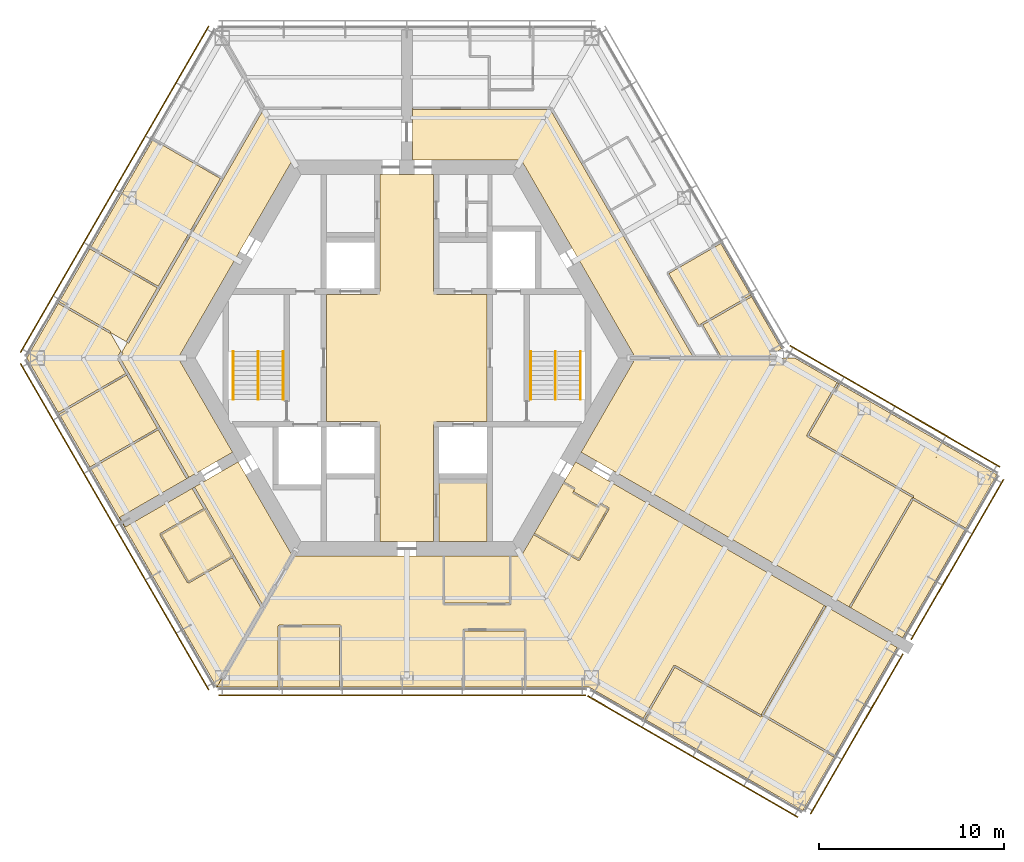
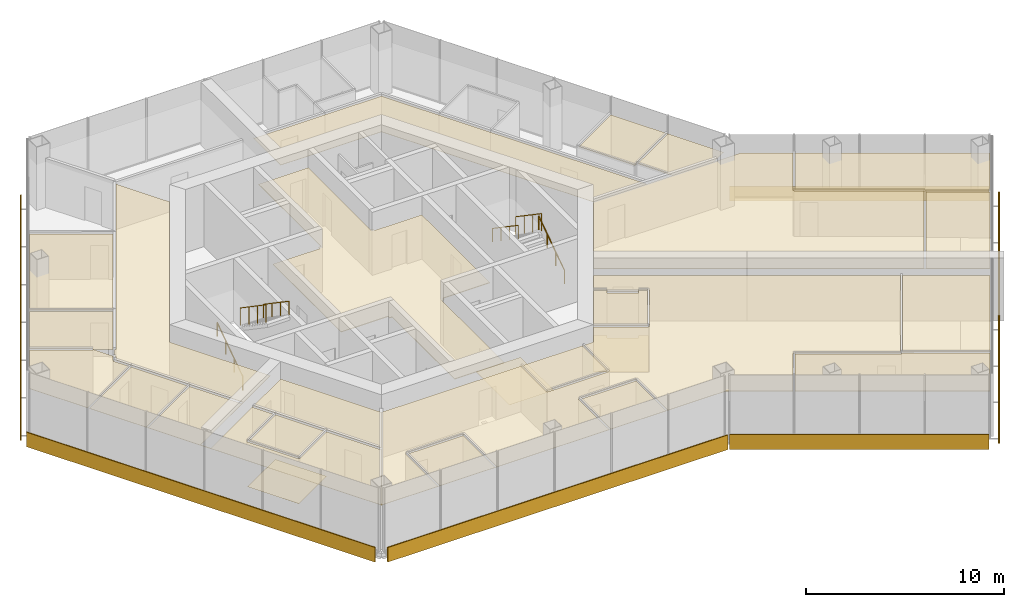
# One storey, part 16 of 17: 26 coverings, 7 shading devices, 6 railings.
"""IFC4 building model written with IfcOpenShell, lengths in metres."""

from ifc_helpers import new_model, si_unit, direction, frame, origin, origin_2d, place, context, subcontext, project, spatial, polyline, rectangle, circle, outline, extrude, material, layer, layer_set, type_object, element, save


model = new_model("IFC4")

# Units and contexts
model_context = context("Model", 3, precision=1e-05, world=origin(), true_north=direction((0.0, 1.0)))
body_context = subcontext(model_context, "Body", "Model", "MODEL_VIEW")
ifc_project = project(units=[si_unit("LENGTHUNIT", "METRE"), si_unit("AREAUNIT", "SQUARE_METRE"), si_unit("VOLUMEUNIT", "CUBIC_METRE"), si_unit("PLANEANGLEUNIT", "RADIAN"), si_unit("MASSUNIT", "GRAM", prefix="KILO")], contexts=[model_context])

# Site, building, storey
site_placement = place(None, origin())
site = spatial("IfcSite", under=ifc_project, at=site_placement, CompositionType="ELEMENT")
building_placement = place(site_placement, origin())
building = spatial("IfcBuilding", under=site, at=building_placement, Name="Kasaneha Research Tower", CompositionType="ELEMENT")
storey_placement = place(building_placement, frame((0.0, 0.0, 228.39990234375)))
storey = spatial("IfcBuildingStorey", under=building, at=storey_placement, Name="L57", CompositionType="ELEMENT", Elevation=228.39990234375)

# Covering
ifc_material_1 = material(Name="Aluminium panel ceiling", Category="aluminium")
ifc_layer_1 = layer(ifc_material_1, 0.0400390625)
ifc_layer_set_1 = layer_set([ifc_layer_1], Name="Lift lobby ceiling 40")
covering_type_1 = type_object("IfcCoveringType", Name="Lift lobby ceiling 40", PredefinedType="CEILING", material=ifc_layer_set_1)
covering_1_placement = place(storey_placement, frame((0.0, 0.0, 2.7001953125)))
element("IfcCovering", 1, at=covering_1_placement, inside=storey, type_object=covering_type_1, Name="Ceiling L57-01", PredefinedType="CEILING", context=body_context, shape_type="SweptSolid", body=[
    extrude(outline(polyline([(1.449951171875, 9.925048828125), (1.449951171875, 3.60009765625), (1.60009765625, 3.60009765625), (1.60009765625, 3.449951171875), (4.35009765625, 3.449951171875), (4.35009765625, -3.449951171875), (1.60009765625, -3.449951171875), (1.60009765625, -3.60009765625), (1.449951171875, -3.60009765625), (1.449951171875, -9.925048828125), (-1.449951171875, -9.925048828125), (-1.449951171875, -3.60009765625), (-1.60009765625, -3.60009765625), (-1.60009765625, -3.449951171875), (-4.35009765625, -3.449951171875), (-4.35009765625, 3.449951171875), (-1.60009765625, 3.449951171875), (-1.60009765625, 3.60009765625), (-1.449951171875, 3.60009765625), (-1.449951171875, 9.925048828125), (1.449951171875, 9.925048828125)])), origin(), (0.0, 0.0, 1.0), 0.039794921875),
])

# Railings
ifc_material_2 = material(Name="Steel", Category="steel")
railing_type_1 = type_object("IfcRailingType", Name="Stair balustrade 1100", PredefinedType="GUARDRAIL", material=ifc_material_2)
for number, where, name in (
    (2, (8.050048828125, 0.35009765625, 2.12744140625), "Stair 1 balustrade L57"),
    (3, (-8.050048828125, 0.35009765625, 2.12744140625), "Stair 2 balustrade L57"),
):
    element("IfcRailing", number, at=place(storey_placement, frame(where)), inside=storey, type_object=railing_type_1, Name=name, PredefinedType="GUARDRAIL", context=body_context, shape_type="SweptSolid", body=[
        extrude(circle(Radius=0.02392578125, at=origin_2d()), frame((0.0, 0.0, 1.076171875), z_axis=(0.0, -0.826240473404, 0.563317565952), x_axis=(1.0, 0.0, 0.0)), (0.0, 0.0, 1.0), 3.14697265625),
        extrude(circle(Radius=0.02099609375, at=origin_2d()), origin(), (0.0, 0.0, 1.0), 1.052001953125),
        extrude(circle(Radius=0.02099609375, at=origin_2d()), frame((0.0, -0.86669921875, 0.5908203125)), (0.0, 0.0, 1.0), 1.052001953125),
        extrude(circle(Radius=0.02099609375, at=origin_2d()), frame((0.0, -1.7333984375, 1.181884765625)), (0.0, 0.0, 1.0), 1.052001953125),
        extrude(circle(Radius=0.02099609375, at=origin_2d()), frame((0.0, -2.60009765625, 1.772705078125)), (0.0, 0.0, 1.0), 1.052001953125),
    ])
ifc_material_3 = material(Name="Steel", Category="steel")
railing_type_2 = type_object("IfcRailingType", Name="Stair handrail 850", PredefinedType="HANDRAIL", material=ifc_material_3)
railing_1_placement = place(storey_placement, frame((9.39990234375, -2.25, 0.177490234375)))
element("IfcRailing", 4, at=railing_1_placement, inside=storey, type_object=railing_type_2, Name="Stair 1 handrail L57", PredefinedType="HANDRAIL", context=body_context, shape_type="SweptSolid", body=[
    extrude(circle(Radius=0.02392578125, at=origin_2d()), frame((0.0, 0.0, 0.826171875), z_axis=(0.0, 0.826240473404, 0.563317565952), x_axis=(-1.0, 0.0, 0.0)), (0.0, 0.0, 1.0), 3.14697265625),
    extrude(circle(Radius=0.02099609375, at=origin_2d()), origin(), (0.0, 0.0, 1.0), 0.802001953125),
    extrude(circle(Radius=0.02099609375, at=origin_2d()), frame((0.0, 0.86669921875, 0.5908203125)), (0.0, 0.0, 1.0), 0.802001953125),
    extrude(circle(Radius=0.02099609375, at=origin_2d()), frame((0.0, 1.7333984375, 1.181884765625)), (0.0, 0.0, 1.0), 0.802001953125),
    extrude(circle(Radius=0.02099609375, at=origin_2d()), frame((0.0, 2.60009765625, 1.772705078125)), (0.0, 0.0, 1.0), 0.802001953125),
])
railing_2_placement = place(storey_placement, frame((6.699951171875, 0.35009765625, 2.12744140625)))
element("IfcRailing", 5, at=railing_2_placement, inside=storey, type_object=railing_type_2, Name="Stair 1 handrail L57", PredefinedType="HANDRAIL", context=body_context, shape_type="SweptSolid", body=[
    extrude(circle(Radius=0.02392578125, at=origin_2d()), frame((0.0, 0.0, 0.826171875), z_axis=(0.0, -0.826240473404, 0.563317565952), x_axis=(1.0, 0.0, 0.0)), (0.0, 0.0, 1.0), 3.14697265625),
    extrude(circle(Radius=0.02099609375, at=origin_2d()), origin(), (0.0, 0.0, 1.0), 0.802001953125),
    extrude(circle(Radius=0.02099609375, at=origin_2d()), frame((0.0, -0.86669921875, 0.5908203125)), (0.0, 0.0, 1.0), 0.802001953125),
    extrude(circle(Radius=0.02099609375, at=origin_2d()), frame((0.0, -1.7333984375, 1.181884765625)), (0.0, 0.0, 1.0), 0.802001953125),
    extrude(circle(Radius=0.02099609375, at=origin_2d()), frame((0.0, -2.60009765625, 1.772705078125)), (0.0, 0.0, 1.0), 0.802001953125),
])
railing_3_placement = place(storey_placement, frame((-9.39990234375, -2.25, 0.177490234375)))
element("IfcRailing", 6, at=railing_3_placement, inside=storey, type_object=railing_type_2, Name="Stair 2 handrail L57", PredefinedType="HANDRAIL", context=body_context, shape_type="SweptSolid", body=[
    extrude(circle(Radius=0.02392578125, at=origin_2d()), frame((0.0, 0.0, 0.826171875), z_axis=(0.0, 0.826240473404, 0.563317565952), x_axis=(-1.0, 0.0, 0.0)), (0.0, 0.0, 1.0), 3.14697265625),
    extrude(circle(Radius=0.02099609375, at=origin_2d()), origin(), (0.0, 0.0, 1.0), 0.802001953125),
    extrude(circle(Radius=0.02099609375, at=origin_2d()), frame((0.0, 0.86669921875, 0.5908203125)), (0.0, 0.0, 1.0), 0.802001953125),
    extrude(circle(Radius=0.02099609375, at=origin_2d()), frame((0.0, 1.7333984375, 1.181884765625)), (0.0, 0.0, 1.0), 0.802001953125),
    extrude(circle(Radius=0.02099609375, at=origin_2d()), frame((0.0, 2.60009765625, 1.772705078125)), (0.0, 0.0, 1.0), 0.802001953125),
])
railing_4_placement = place(storey_placement, frame((-6.699951171875, 0.35009765625, 2.12744140625)))
element("IfcRailing", 7, at=railing_4_placement, inside=storey, type_object=railing_type_2, Name="Stair 2 handrail L57", PredefinedType="HANDRAIL", context=body_context, shape_type="SweptSolid", body=[
    extrude(circle(Radius=0.02392578125, at=origin_2d()), frame((0.0, 0.0, 0.826171875), z_axis=(0.0, -0.826240473404, 0.563317565952), x_axis=(1.0, 0.0, 0.0)), (0.0, 0.0, 1.0), 3.14697265625),
    extrude(circle(Radius=0.02099609375, at=origin_2d()), origin(), (0.0, 0.0, 1.0), 0.802001953125),
    extrude(circle(Radius=0.02099609375, at=origin_2d()), frame((0.0, -0.86669921875, 0.5908203125)), (0.0, 0.0, 1.0), 0.802001953125),
    extrude(circle(Radius=0.02099609375, at=origin_2d()), frame((0.0, -1.7333984375, 1.181884765625)), (0.0, 0.0, 1.0), 0.802001953125),
    extrude(circle(Radius=0.02099609375, at=origin_2d()), frame((0.0, -2.60009765625, 1.772705078125)), (0.0, 0.0, 1.0), 0.802001953125),
])

# Coverings
ifc_material_4 = material(Name="Gypsum ceiling board", Category="gypsum")
ifc_layer_2 = layer(ifc_material_4, 0.02001953125)
ifc_layer_set_2 = layer_set([ifc_layer_2], Name="Suspended ceiling 20")
covering_type_2 = type_object("IfcCoveringType", Name="Suspended ceiling 20", PredefinedType="CEILING", material=ifc_layer_set_2)
covering_2_placement = place(storey_placement, frame((0.0, 0.0, 2.800048828125)))
element("IfcCovering", 8, at=covering_2_placement, inside=storey, type_object=covering_type_2, Name="Ceiling L57-24", PredefinedType="CEILING", context=body_context, shape_type="SweptSolid", body=[
    extrude(outline(polyline([(6.192138671875, 10.72509765625), (0.300048828125, 10.72509765625), (0.300048828125, 11.72509765625), (0.300048828125, 12.72509765625), (0.300048828125, 13.52490234375), (0.320068359375, 13.52490234375), (0.320068359375, 13.449951171875), (4.46044921875, 13.449951171875), (4.469970703125, 13.449951171875), (7.765380859375, 13.449951171875), (9.4501953125, 10.531494140625), (9.4501953125, 10.53173828125), (10.950439453125, 7.93310546875), (10.95068359375, 7.93310546875), (15.53076171875, 0.0), (12.38427734375, 0.0), (6.192138671875, 10.72509765625)])), origin(), (0.0, 0.0, 1.0), 0.02001953125),
])
covering_3_placement = place(storey_placement, frame((0.0, 0.0, 2.800048828125)))
element("IfcCovering", 9, at=covering_3_placement, inside=storey, type_object=covering_type_2, Name="Ceiling L57-27", PredefinedType="CEILING", context=body_context, shape_type="SweptSolid", body=[
    extrude(outline(polyline([(18.63720703125, 3.360595703125), (18.619873046875, 3.3505859375), (18.5947265625, 3.393798828125), (15.923095703125, 1.851318359375), (15.947998046875, 1.80810546875), (15.9306640625, 1.7978515625), (15.9130859375, 1.787841796875), (15.9130859375, 1.787841796875), (15.822509765625, 1.735595703125), (14.18212890625, 4.576904296875), (16.99658203125, 6.201904296875), (18.63720703125, 3.360595703125)])), origin(), (0.0, 0.0, 1.0), 0.02001953125),
])
covering_4_placement = place(storey_placement, frame((0.0, 0.0, 2.800048828125)))
element("IfcCovering", 10, at=covering_4_placement, inside=storey, type_object=covering_type_2, Name="Ceiling L57-29", PredefinedType="CEILING", context=body_context, shape_type="SweptSolid", body=[
    extrude(outline(polyline([(16.997802734375, 0.0), (16.986328125, 0.02001953125), (17.029541015625, 0.044921875), (16.024658203125, 1.79443359375), (18.644775390625, 3.30712890625), (18.619873046875, 3.3505859375), (18.63720703125, 3.360595703125), (20.28759765625, 0.501708984375), (19.41845703125, 0.0), (16.997802734375, 0.0)])), origin(), (0.0, 0.0, 1.0), 0.02001953125),
])
covering_5_placement = place(storey_placement, frame((0.0, 0.0, 2.800048828125)))
element("IfcCovering", 11, at=covering_5_placement, inside=storey, type_object=covering_type_2, Name="Ceiling L57-33", PredefinedType="CEILING", context=body_context, shape_type="SweptSolid", body=[
    extrude(outline(polyline([(-12.38427734375, 0.0), (-9.438232421875, -5.102783203125), (-10.30419921875, -5.602783203125), (-10.30419921875, -5.602783203125), (-11.170166015625, -6.102783203125), (-11.170166015625, -6.102783203125), (-11.863037109375, -6.502685546875), (-11.873046875, -6.4853515625), (-11.80810546875, -6.447998046875), (-13.358154296875, -3.7626953125), (-13.358154296875, -3.762939453125), (-15.065673828125, -0.805419921875), (-15.065673828125, -0.805419921875), (-15.53076171875, 0.0), (-15.376220703125, 0.267578125), (-15.441162109375, 0.304931640625), (-15.130859375, 0.84228515625), (-15.066162109375, 0.804931640625), (-13.353271484375, 3.771484375), (-13.353271484375, 3.771484375), (-9.93798828125, 9.686767578125), (-9.93798828125, 9.686767578125), (-7.765380859375, 13.449951171875), (-6.192138671875, 10.72509765625), (-12.38427734375, 0.0)])), origin(), (0.0, 0.0, 1.0), 0.02001953125),
])
covering_6_placement = place(storey_placement, frame((0.0, 0.0, 2.800048828125)))
element("IfcCovering", 12, at=covering_6_placement, inside=storey, type_object=covering_type_2, Name="Ceiling L57-34", PredefinedType="CEILING", context=body_context, shape_type="SweptSolid", body=[
    extrude(outline(polyline([(-17.12353515625, 5.9423828125), (-17.1484375, 5.899169921875), (-13.512939453125, 3.794921875), (-15.193359375, 0.88427734375), (-16.06689453125, 1.388427734375), (-16.041748046875, 1.431884765625), (-18.823486328125, 3.037841796875), (-17.140869140625, 5.952392578125), (-17.12353515625, 5.9423828125)])), origin(), (0.0, 0.0, 1.0), 0.02001953125),
])
covering_7_placement = place(storey_placement, frame((0.0, 0.0, 2.800048828125)))
element("IfcCovering", 13, at=covering_7_placement, inside=storey, type_object=covering_type_2, Name="Ceiling L57-36", PredefinedType="CEILING", context=body_context, shape_type="SweptSolid", body=[
    extrude(outline(polyline([(-15.539794921875, -8.62548828125), (-15.539794921875, -8.62548828125), (-15.3896484375, -8.88525390625), (-15.43310546875, -8.91015625), (-17.140869140625, -5.952392578125), (-17.12353515625, -5.9423828125), (-17.098388671875, -5.98583984375), (-13.45849609375, -3.88916015625), (-11.93798828125, -6.52294921875), (-11.873046875, -6.4853515625), (-11.863037109375, -6.502685546875), (-11.603271484375, -6.352783203125), (-15.539794921875, -8.62548828125), (-15.539794921875, -8.62548828125)])), origin(), (0.0, 0.0, 1.0), 0.02001953125),
])
covering_8_placement = place(storey_placement, frame((0.0, 0.0, 2.800048828125)))
element("IfcCovering", 14, at=covering_8_placement, inside=storey, type_object=covering_type_2, Name="Ceiling L57-37", PredefinedType="CEILING", context=body_context, shape_type="SweptSolid", body=[
    extrude(outline(polyline([(-20.577880859375, 0.0), (-18.873779296875, 2.951171875), (-17.09765625, 1.92578125), (-18.68115234375, 1.011474609375), (-17.097412109375, 1.92578125), (-16.091796875, 1.34521484375), (-16.069580078125, 1.383544921875), (-15.449951171875, 0.31005859375), (-15.506103515625, 0.342529296875), (-15.68212890625, 0.03759765625), (-15.617431640625, 0.0), (-15.617431640625, 0.0), (-15.617431640625, 0.0), (-15.68212890625, -0.03759765625), (-15.220703125, -0.837158203125), (-18.87353515625, -2.951171875), (-20.577880859375, 0.0)])), origin(), (0.0, 0.0, 1.0), 0.02001953125),
])
covering_9_placement = place(storey_placement, frame((0.0, 0.0, 2.800048828125)))
element("IfcCovering", 15, at=covering_9_placement, inside=storey, type_object=covering_type_2, Name="Ceiling L57-38", PredefinedType="CEILING", context=body_context, shape_type="SweptSolid", body=[
    extrude(outline(polyline([(-17.140380859375, 5.952880859375), (-13.750244140625, 11.82470703125), (-10.093017578125, 9.718505859375), (-13.462890625, 3.881591796875), (-17.098388671875, 5.985595703125), (-17.123291015625, 5.94287109375), (-17.140380859375, 5.952880859375)])), origin(), (0.0, 0.0, 1.0), 0.02001953125),
])
covering_10_placement = place(storey_placement, frame((0.0, 0.0, 2.800048828125)))
element("IfcCovering", 16, at=covering_10_placement, inside=storey, type_object=covering_type_2, Name="Ceiling L57-39", PredefinedType="CEILING", context=body_context, shape_type="SweptSolid", body=[
    extrude(outline(polyline([(-17.14111328125, -5.951904296875), (-18.823486328125, -3.037841796875), (-15.170654296875, -0.923828125), (-13.508544921875, -3.802734375), (-17.1484375, -5.899169921875), (-17.123779296875, -5.94189453125), (-17.14111328125, -5.951904296875)])), origin(), (0.0, 0.0, 1.0), 0.02001953125),
])
covering_11_placement = place(storey_placement, frame((0.0, 0.0, 2.800048828125)))
element("IfcCovering", 17, at=covering_11_placement, inside=storey, type_object=covering_type_2, Name="Ceiling L57-40", PredefinedType="CEILING", context=body_context, shape_type="SweptSolid", body=[
    extrude(outline(polyline([(-10.8701171875, -6.622314453125), (-10.004150390625, -6.122314453125), (-10.004150390625, -6.122314453125), (-9.13818359375, -5.622314453125), (-6.192138671875, -10.72509765625), (-7.765380859375, -13.449951171875), (-9.350341796875, -10.704833984375), (-9.350341796875, -10.704833984375), (-10.8505859375, -8.106201171875), (-10.8505859375, -8.106201171875), (-11.488037109375, -7.002197265625), (-11.552978515625, -7.03955078125), (-11.56298828125, -7.022216796875), (-10.8701171875, -6.622314453125), (-10.8701171875, -6.622314453125)])), origin(), (0.0, 0.0, 1.0), 0.02001953125),
])
covering_12_placement = place(storey_placement, frame((0.0, 0.0, 2.800048828125)))
element("IfcCovering", 18, at=covering_12_placement, inside=storey, type_object=covering_type_2, Name="Ceiling L57-41", PredefinedType="CEILING", context=body_context, shape_type="SweptSolid", body=[
    extrude(outline(polyline([(-13.26953125, -9.56640625), (-10.95068359375, -8.232666015625), (-9.505126953125, -10.736572265625), (-11.819580078125, -12.077880859375), (-13.26953125, -9.56640625)])), origin(), (0.0, 0.0, 1.0), 0.02001953125),
])
covering_13_placement = place(storey_placement, frame((0.0, 0.0, 2.800048828125)))
element("IfcCovering", 19, at=covering_13_placement, inside=storey, type_object=covering_type_2, Name="Ceiling L57-42", PredefinedType="CEILING", context=body_context, shape_type="SweptSolid", body=[
    extrude(outline(polyline([(-11.553466796875, -7.039794921875), (-11.617919921875, -7.0771484375), (-11.000732421875, -8.14599609375), (-13.36279296875, -9.504638671875), (-13.337890625, -9.5478515625), (-13.33837890625, -9.548095703125), (-13.338134765625, -9.54833984375), (-13.381103515625, -9.572998046875), (-11.881103515625, -12.171142578125), (-11.83837890625, -12.146484375), (-11.83837890625, -12.146484375), (-11.837890625, -12.146240234375), (-11.812744140625, -12.189453125), (-9.455078125, -10.8232421875), (-7.88525390625, -13.54248046875), (-7.820556640625, -13.505126953125), (-7.808837890625, -13.525390625), (-10.28857421875, -17.820556640625), (-15.43310546875, -8.91015625), (-15.3896484375, -8.88525390625), (-15.23974609375, -9.14501953125), (-15.23974609375, -9.14501953125), (-15.23974609375, -9.14501953125), (-11.5634765625, -7.0224609375), (-11.553466796875, -7.039794921875)])), origin(), (0.0, 0.0, 1.0), 0.02001953125),
])
covering_14_placement = place(storey_placement, frame((0.0, 0.0, 2.800048828125)))
element("IfcCovering", 20, at=covering_14_placement, inside=storey, type_object=covering_type_2, Name="Ceiling L57-43", PredefinedType="CEILING", context=body_context, shape_type="SweptSolid", body=[
    extrude(outline(polyline([(27.826416015625, -6.824462890625), (29.075439453125, -4.661865234375), (31.941650390625, -6.316650390625), (30.266845703125, -9.218017578125), (27.41064453125, -7.563720703125), (27.384033203125, -7.609619140625), (27.43212890625, -7.525146484375), (27.425048828125, -7.52001953125), (27.449951171875, -7.476806640625), (21.760498046875, -4.19189453125), (23.37548828125, -1.39453125), (23.332275390625, -1.36962890625), (23.34228515625, -1.352294921875), (29.074951171875, -4.662109375), (27.826416015625, -6.824462890625)])), origin(), (0.0, 0.0, 1.0), 0.02001953125),
])
covering_15_placement = place(storey_placement, frame((0.0, 0.0, 2.800048828125)))
element("IfcCovering", 21, at=covering_15_placement, inside=storey, type_object=covering_type_2, Name="Ceiling L57-44", PredefinedType="CEILING", context=body_context, shape_type="SweptSolid", body=[
    extrude(outline(polyline([(23.9833984375, -13.50048828125), (23.993408203125, -13.483154296875), (24.036865234375, -13.508056640625), (27.40771484375, -7.677490234375), (30.216552734375, -9.304443359375), (26.84130859375, -15.150390625), (23.9833984375, -13.50048828125)])), origin(), (0.0, 0.0, 1.0), 0.02001953125),
])
covering_16_placement = place(storey_placement, frame((0.0, 0.0, 2.800048828125)))
element("IfcCovering", 22, at=covering_16_placement, inside=storey, type_object=covering_type_2, Name="Ceiling L57-45", PredefinedType="CEILING", context=body_context, shape_type="SweptSolid", body=[
    extrude(outline(polyline([(9.438232421875, -5.102783203125), (12.38427734375, 0.0), (15.53076171875, 0.0), (15.540771484375, -0.017578125), (15.571044921875, 0.0), (16.93994140625, 0.0), (16.94287109375, -0.0048828125), (16.951416015625, 0.0), (21.0, 0.0), (23.341796875, -1.35205078125), (23.331787109375, -1.369384765625), (23.288818359375, -1.344482421875), (21.64892578125, -4.185302734375), (21.692138671875, -4.210205078125), (21.69189453125, -4.21044921875), (21.69189453125, -4.210693359375), (21.667236328125, -4.25341796875), (27.39990234375, -7.563232421875), (27.424560546875, -7.520751953125), (27.43212890625, -7.525146484375), (27.382568359375, -7.611083984375), (27.343505859375, -7.58837890625), (23.9501953125, -13.4580078125), (23.9931640625, -13.48291015625), (23.98291015625, -13.500244140625), (11.170166015625, -6.102783203125), (11.170166015625, -6.102783203125), (10.30419921875, -5.602783203125), (10.30419921875, -5.602783203125), (9.438232421875, -5.102783203125)])), origin(), (0.0, 0.0, 1.0), 0.02001953125),
])
covering_17_placement = place(storey_placement, frame((0.0, 0.0, 2.800048828125)))
element("IfcCovering", 23, at=covering_17_placement, inside=storey, type_object=covering_type_2, Name="Ceiling L57-46", PredefinedType="CEILING", context=body_context, shape_type="SweptSolid", body=[
    extrude(outline(polyline([(8.488037109375, -6.748046875), (8.50537109375, -6.758056640625), (8.48046875, -6.801513671875), (9.0693359375, -7.141357421875), (9.09423828125, -7.09814453125), (9.09423828125, -7.09814453125), (9.019287109375, -7.22802734375), (9.019287109375, -7.22802734375), (8.96923828125, -7.314697265625), (10.35498046875, -8.114501953125), (10.3798828125, -8.0712890625), (10.3798828125, -8.0712890625), (10.455078125, -7.94140625), (10.8447265625, -8.16650390625), (9.294677734375, -10.85107421875), (6.930419921875, -9.486083984375), (6.905517578125, -9.529296875), (6.88818359375, -9.51953125), (8.488037109375, -6.748046875)])), origin(), (0.0, 0.0, 1.0), 0.02001953125),
])
covering_18_placement = place(storey_placement, frame((0.0, 0.0, 2.800048828125)))
element("IfcCovering", 24, at=covering_18_placement, inside=storey, type_object=covering_type_2, Name="Ceiling L57-47", PredefinedType="CEILING", context=body_context, shape_type="SweptSolid", body=[
    extrude(outline(polyline([(-6.91552734375, -17.820556640625), (-6.91552734375, -17.800537109375), (-6.865478515625, -17.800537109375), (-6.865478515625, -14.570556640625), (-3.634521484375, -14.570556640625), (-3.634521484375, -17.800537109375), (-3.58447265625, -17.800537109375), (-3.58447265625, -17.820556640625), (-6.91552734375, -17.820556640625)])), origin(), (0.0, 0.0, 1.0), 0.02001953125),
])
covering_19_placement = place(storey_placement, frame((0.0, 0.0, 2.800048828125)))
element("IfcCovering", 25, at=covering_19_placement, inside=storey, type_object=covering_type_2, Name="Ceiling L57-48", PredefinedType="CEILING", context=body_context, shape_type="SweptSolid", body=[
    extrude(outline(polyline([(19.242431640625, -19.311279296875), (19.21630859375, -19.3564453125), (23.098876953125, -21.592529296875), (23.1240234375, -21.549072265625), (23.1416015625, -21.559326171875), (21.44140625, -24.50390625), (18.574951171875, -22.84912109375), (19.11962890625, -21.9052734375), (18.574951171875, -22.8486328125), (12.885498046875, -19.563720703125), (14.510498046875, -16.748291015625), (19.1689453125, -19.4375), (19.198486328125, -19.386474609375), (19.242431640625, -19.311279296875)])), origin(), (0.0, 0.0, 1.0), 0.02001953125),
])
covering_20_placement = place(storey_placement, frame((0.0, 0.0, 2.800048828125)))
element("IfcCovering", 26, at=covering_20_placement, inside=storey, type_object=covering_type_2, Name="Ceiling L57-49", PredefinedType="CEILING", context=body_context, shape_type="SweptSolid", body=[
    extrude(outline(polyline([(23.141357421875, -21.55908203125), (23.1240234375, -21.549072265625), (23.14892578125, -21.505859375), (19.3134765625, -19.296875), (22.677490234375, -13.46240234375), (22.63427734375, -13.4375), (22.644287109375, -13.420166015625), (24.52783203125, -14.507568359375), (26.541259765625, -15.670166015625), (23.141357421875, -21.55908203125)])), origin(), (0.0, 0.0, 1.0), 0.02001953125),
])
covering_21_placement = place(storey_placement, frame((0.0, 0.0, 2.800048828125)))
element("IfcCovering", 27, at=covering_21_placement, inside=storey, type_object=covering_type_2, Name="Ceiling L57-50", PredefinedType="CEILING", context=body_context, shape_type="SweptSolid", body=[
    extrude(outline(polyline([(5.60009765625, -10.72509765625), (5.60009765625, -10.7451171875), (5.550048828125, -10.7451171875), (5.550048828125, -13.27490234375), (2.050048828125, -13.27490234375), (2.050048828125, -10.7451171875), (2.0, -10.7451171875), (2.0, -10.72509765625), (5.60009765625, -10.72509765625)])), origin(), (0.0, 0.0, 1.0), 0.02001953125),
])
covering_22_placement = place(storey_placement, frame((0.0, 0.0, 2.800048828125)))
element("IfcCovering", 28, at=covering_22_placement, inside=storey, type_object=covering_type_2, Name="Ceiling L57-51", PredefinedType="CEILING", context=body_context, shape_type="SweptSolid", body=[
    extrude(outline(polyline([(3.077392578125, -17.820556640625), (3.077392578125, -17.800537109375), (3.12744140625, -17.800537109375), (3.12744140625, -14.7705078125), (6.3583984375, -14.7705078125), (6.3583984375, -17.800537109375), (6.408203125, -17.800537109375), (6.408203125, -17.820556640625), (3.077392578125, -17.820556640625)])), origin(), (0.0, 0.0, 1.0), 0.02001953125),
])
covering_23_placement = place(storey_placement, frame((0.0, 0.0, 2.800048828125)))
element("IfcCovering", 29, at=covering_23_placement, inside=storey, type_object=covering_type_2, Name="Ceiling L57-52", PredefinedType="CEILING", context=body_context, shape_type="SweptSolid", body=[
    extrude(outline(polyline([(1.99951171875, -10.7451171875), (1.949951171875, -10.7451171875), (1.949951171875, -13.324951171875), (1.999755859375, -13.324951171875), (1.999755859375, -13.325439453125), (2.0, -13.325439453125), (2.0, -13.375), (5.60009765625, -13.375), (5.60009765625, -13.325439453125), (5.60009765625, -13.325439453125), (5.60009765625, -13.324951171875), (5.64990234375, -13.324951171875), (5.64990234375, -10.7451171875), (5.6005859375, -10.7451171875), (5.6005859375, -10.72509765625), (6.192138671875, -10.72509765625), (6.887939453125, -9.519775390625), (6.905029296875, -9.52978515625), (6.88037109375, -9.57275390625), (9.2880859375, -10.962646484375), (9.312744140625, -10.919677734375), (9.313232421875, -10.919921875), (9.3134765625, -10.919677734375), (9.356201171875, -10.9443359375), (10.956298828125, -8.173095703125), (10.913330078125, -8.1484375), (10.913330078125, -8.1484375), (10.9130859375, -8.148193359375), (10.93798828125, -8.104736328125), (10.5048828125, -7.854736328125), (10.480224609375, -7.897705078125), (10.47998046875, -7.897705078125), (10.404541015625, -8.02783203125), (9.019775390625, -7.228271484375), (9.0947265625, -7.097900390625), (9.094482421875, -7.09765625), (9.119384765625, -7.0546875), (8.530517578125, -6.71484375), (8.505615234375, -6.757568359375), (8.48828125, -6.747802734375), (9.13818359375, -5.622314453125), (10.004150390625, -6.122314453125), (10.004150390625, -6.122314453125), (10.8701171875, -6.622314453125), (10.8701171875, -6.622314453125), (18.392822265625, -10.965576171875), (22.643798828125, -13.419921875), (22.6337890625, -13.437255859375), (22.5908203125, -13.412353515625), (19.204345703125, -19.2861328125), (19.243408203125, -19.30859375), (19.21875, -19.35107421875), (14.51708984375, -16.63671875), (14.4921875, -16.68017578125), (14.44873046875, -16.655029296875), (12.798828125, -19.513916015625), (9.865966796875, -17.820556640625), (6.40869140625, -17.820556640625), (6.40869140625, -17.800537109375), (6.458251953125, -17.800537109375), (6.458251953125, -14.720458984375), (6.408447265625, -14.720458984375), (6.408447265625, -14.719970703125), (6.408203125, -14.719970703125), (6.408203125, -14.67041015625), (3.077392578125, -14.67041015625), (3.077392578125, -14.72021484375), (3.076904296875, -14.72021484375), (3.076904296875, -14.720458984375), (3.02734375, -14.720458984375), (3.02734375, -17.800537109375), (3.076904296875, -17.800537109375), (3.076904296875, -17.820556640625), (-3.583984375, -17.820556640625), (-3.583984375, -17.800537109375), (-3.534423828125, -17.800537109375), (-3.534423828125, -14.5205078125), (-3.584228515625, -14.5205078125), (-3.584228515625, -14.520263671875), (-3.58447265625, -14.520263671875), (-3.58447265625, -14.470458984375), (-6.91552734375, -14.470458984375), (-6.91552734375, -14.52001953125), (-6.91552734375, -14.52001953125), (-6.91552734375, -14.5205078125), (-6.965576171875, -14.5205078125), (-6.965576171875, -17.800537109375), (-6.916015625, -17.800537109375), (-6.916015625, -17.820556640625), (-10.28857421875, -17.820556640625), (-7.78564453125, -13.485107421875), (-7.75537109375, -13.467529296875), (-7.765380859375, -13.449951171875), (-6.192138671875, -10.72509765625), (1.99951171875, -10.72509765625), (1.99951171875, -10.7451171875)])), origin(), (0.0, 0.0, 1.0), 0.02001953125),
])

# Shading devices
ifc_material_5 = material(Name="Terracotta", Category="masonry")
ifc_layer_3 = layer(ifc_material_5, 0.06005859375)
ifc_layer_set_3 = layer_set([ifc_layer_3], Name="Terracotta baguette screen")
shading_device_type = type_object("IfcShadingDeviceType", Name="Terracotta baguette screen", PredefinedType="USERDEFINED", material=ifc_layer_set_3)
for number, where, z_axis, x_axis, name in (
    (30, (-15.82275390625, 9.13525390625, -0.449951171875), (0.0, 0.0, 1.0), (-0.499999995722, -0.866025406254, 0.0), "Baguette screen L57 03"),
    (31, (-15.82275390625, -9.13525390625, -0.449951171875), (0.0, 0.0, 1.0), (0.499999995722, -0.866025406254, 0.0), "Baguette screen L57 04"),
):
    element("IfcShadingDevice", number, at=place(storey_placement, frame(where, z_axis=z_axis, x_axis=x_axis)), inside=storey, type_object=shading_device_type, Name=name, ObjectType="TERRACOTTA BAGUETTE SCREEN", PredefinedType="USERDEFINED", context=body_context, shape_type="SweptSolid", body=[
        extrude(rectangle(XDim=20.392822265625, YDim=0.06005859375, at=origin_2d()), origin(), (0.0, 0.0, 1.0), 0.89990234375),
    ])
shading_device_1_placement = place(storey_placement, frame((-0.253662109375, -18.2705078125, -0.449951171875), z_axis=(0.0, 0.0, 1.0), x_axis=(1.0, 0.0, 0.0)))
element("IfcShadingDevice", 32, at=shading_device_1_placement, inside=storey, type_object=shading_device_type, Name="Baguette screen L57 05", ObjectType="TERRACOTTA BAGUETTE SCREEN", PredefinedType="USERDEFINED", context=body_context, shape_type="SweptSolid", body=[
    extrude(rectangle(XDim=19.8857421875, YDim=0.06005859375, at=origin_2d()), origin(), (0.0, 0.0, 1.0), 0.89990234375),
])
shading_device_2_placement = place(storey_placement, frame((15.483642578125, -21.58349609375, -0.449951171875), z_axis=(0.0, 0.0, 1.0), x_axis=(0.866025411464, -0.499999986699, 0.0)))
element("IfcShadingDevice", 33, at=shading_device_2_placement, inside=storey, type_object=shading_device_type, Name="Baguette screen L57 06", ObjectType="TERRACOTTA BAGUETTE SCREEN", PredefinedType="USERDEFINED", context=body_context, shape_type="SweptSolid", body=[
    extrude(rectangle(XDim=13.13916015625, YDim=0.06005859375, at=origin_2d()), origin(), (0.0, 0.0, 1.0), 0.89990234375),
])
for number, where, z_axis, x_axis, name in (
    (34, (24.35595703125, -20.35498046875, -0.449951171875), (0.0, 0.0, 1.0), (0.500000011442, 0.866025397178, 0.0), "Baguette screen L57 07"),
    (35, (29.80615234375, -10.91552734375, -0.449951171875), (0.0, 0.0, 1.0), (0.500000011442, 0.866025397178, 0.0), "Baguette screen L57 08"),
):
    element("IfcShadingDevice", number, at=place(storey_placement, frame(where, z_axis=z_axis, x_axis=x_axis)), inside=storey, type_object=shading_device_type, Name=name, ObjectType="TERRACOTTA BAGUETTE SCREEN", PredefinedType="USERDEFINED", context=body_context, shape_type="SweptSolid", body=[
        extrude(rectangle(XDim=10.0, YDim=0.06005859375, at=origin_2d()), origin(), (0.0, 0.0, 1.0), 0.89990234375),
    ])
shading_device_3_placement = place(storey_placement, frame((26.43359375, -2.617431640625, -0.449951171875), z_axis=(0.0, 0.0, 1.0), x_axis=(-0.866025411464, 0.499999986699, 0.0)))
element("IfcShadingDevice", 36, at=shading_device_3_placement, inside=storey, type_object=shading_device_type, Name="Baguette screen L57 09", ObjectType="TERRACOTTA BAGUETTE SCREEN", PredefinedType="USERDEFINED", context=body_context, shape_type="SweptSolid", body=[
    extrude(rectangle(XDim=13.13916015625, YDim=0.06005859375, at=origin_2d()), origin(), (0.0, 0.0, 1.0), 0.89990234375),
])

# Coverings
ifc_material_6 = material(Name="Vinyl sheet flooring", Category="plastic")
ifc_layer_4 = layer(ifc_material_6, 0.0048828125)
ifc_layer_set_4 = layer_set([ifc_layer_4], Name="Wet room sheet flooring 5")
covering_type_3 = type_object("IfcCoveringType", Name="Wet room sheet flooring 5", PredefinedType="FLOORING", material=ifc_layer_set_4)
covering_24_placement = place(storey_placement, origin())
element("IfcCovering", 37, at=covering_24_placement, inside=storey, type_object=covering_type_3, Name="Floor finish L57-11", PredefinedType="FLOORING", context=body_context, shape_type="SweptSolid", body=[
    extrude(outline(polyline([(1.75, -9.925048828125), (1.75, -6.550048828125), (4.35009765625, -6.550048828125), (4.35009765625, -9.925048828125), (1.75, -9.925048828125)])), origin(), (0.0, 0.0, 1.0), 0.005126953125),
])
covering_25_placement = place(storey_placement, origin())
element("IfcCovering", 38, at=covering_25_placement, inside=storey, type_object=covering_type_3, Name="Floor finish L57-41", PredefinedType="FLOORING", context=body_context, shape_type="SweptSolid", body=[
    extrude(outline(polyline([(-11.837890625, -12.146240234375), (-13.337890625, -9.548095703125), (-10.9130859375, -8.148193359375), (-9.4130859375, -10.746337890625), (-11.837890625, -12.146240234375)])), origin(), (0.0, 0.0, 1.0), 0.005126953125),
])
covering_26_placement = place(storey_placement, origin())
element("IfcCovering", 39, at=covering_26_placement, inside=storey, type_object=covering_type_3, Name="Floor finish L57-46", PredefinedType="FLOORING", context=body_context, shape_type="SweptSolid", body=[
    extrude(outline(polyline([(9.31298828125, -10.91943359375), (6.88818359375, -9.51953125), (8.488037109375, -6.748046875), (9.09423828125, -7.09814453125), (8.994384765625, -7.271240234375), (10.3798828125, -8.0712890625), (10.47998046875, -7.898193359375), (10.9130859375, -8.148193359375), (9.31298828125, -10.91943359375)])), origin(), (0.0, 0.0, 1.0), 0.005126953125),
])

save(model, "model.ifc")
